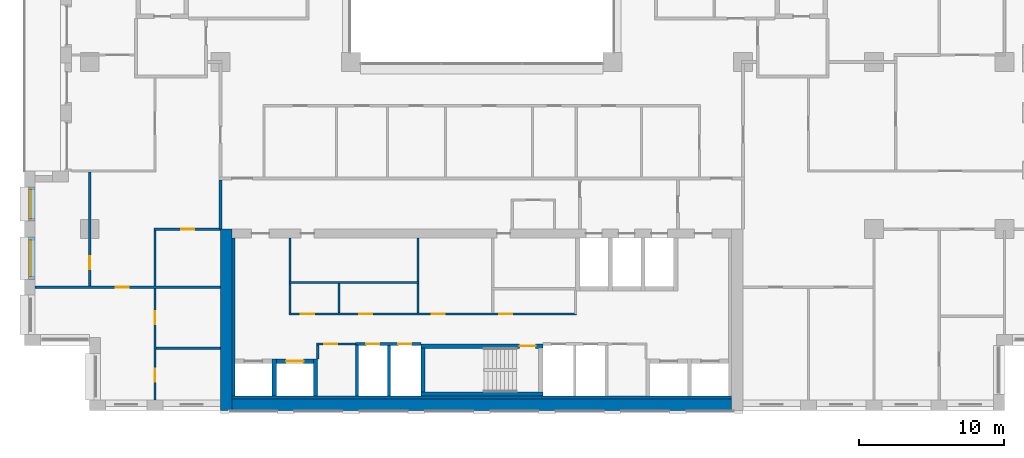
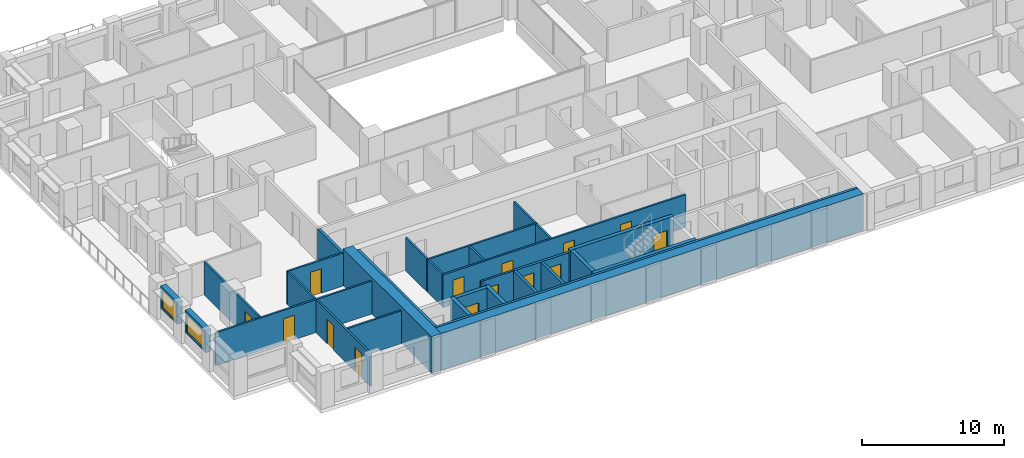
# One storey, part 8 of 16: 31 walls, 14 doors, 2 windows, 16 openings.
"""IFC4 building model written with IfcOpenShell, lengths in metres."""

import ifcopenshell
import ifcopenshell.guid

model = None  # the IFC model being written
_history = None  # IfcOwnerHistory: only IFC2X3 demands one
_inside = {}  # id of a spatial element -> (the spatial element, [elements in it])
_under = {}  # id of a project, library or spatial element -> (it, [spatial elements below it])
_declared = {}  # id of a project -> (the project, [libraries it declares])
_typed = {}  # id of a type object -> (the type object, [elements of that type])
_made_of = {}  # id of a material, layer set ... -> (it, [elements and type objects made of it])


def new_model(schema):
    """Start an empty IFC model of exactly this schema.

    Asked for "IFC4X3", IfcOpenShell would pick the latest addendum, in which some entities
    have other attributes; the version numbers below select the first issue.
    IFC2X3 requires an IfcOwnerHistory on every rooted entity: one is made here for all.
    """
    global model, _history
    if schema == "IFC4X3":
        model = ifcopenshell.file(schema_version=(4, 3, 0, 0))
    else:
        model = ifcopenshell.file(schema=schema)
    _inside.clear()
    _under.clear()
    _declared.clear()
    _typed.clear()
    _made_of.clear()
    _history = None
    if model.schema == "IFC2X3":
        org = make("IfcOrganization", Name="unknown")
        user = make(
            "IfcPersonAndOrganization",
            ThePerson=make("IfcPerson", FamilyName="unknown"),
            TheOrganization=org,
        )
        app = make(
            "IfcApplication",
            ApplicationDeveloper=org,
            Version="unknown",
            ApplicationFullName="unknown",
            ApplicationIdentifier="unknown",
        )
        _history = make(
            "IfcOwnerHistory",
            OwningUser=user,
            OwningApplication=app,
            ChangeAction="ADDED",
            CreationDate=0,
        )
    return model


def make(cls, **values):
    """One entity of the class cls with the attributes given. An attribute that is None is left unset."""
    return model.create_entity(
        cls, **{name: value for name, value in values.items() if value is not None}
    )


def rooted(cls, **values):
    """An entity with a GlobalId (a new one), such as an element, a storey or a relation."""
    return make(cls, GlobalId=ifcopenshell.guid.new(), OwnerHistory=_history, **values)


def si_unit(unit_type, name, prefix=None):
    """IfcSIUnit, for example si_unit("LENGTHUNIT", "METRE", prefix="MILLI")."""
    return make("IfcSIUnit", UnitType=unit_type, Prefix=prefix, Name=name)


def assignment(units):
    """IfcUnitAssignment: the units of a project."""
    return None if units is None else make("IfcUnitAssignment", Units=units)


def point(xyz):
    """IfcCartesianPoint."""
    return None if xyz is None else make("IfcCartesianPoint", Coordinates=xyz)


def direction(xyz):
    """IfcDirection."""
    return None if xyz is None else make("IfcDirection", DirectionRatios=xyz)


def frame(location, z_axis=None, x_axis=None):
    """IfcAxis2Placement3D, a coordinate frame: its origin and axes. An axis left out is left unset."""
    return make(
        "IfcAxis2Placement3D",
        Location=point(location),
        Axis=direction(z_axis),
        RefDirection=direction(x_axis),
    )


def frame_2d(location, x_axis=None):
    """IfcAxis2Placement2D, a coordinate frame in the plane: its origin and x axis."""
    return make(
        "IfcAxis2Placement2D", Location=point(location), RefDirection=direction(x_axis)
    )


def origin():
    """The frame at (0, 0, 0) with its axes left unset."""
    return frame((0.0, 0.0, 0.0))


def place(relative_to, where):
    """IfcLocalPlacement: puts the frame where relative to a parent placement (None: the world)."""
    return make(
        "IfcLocalPlacement", PlacementRelTo=relative_to, RelativePlacement=where
    )


def context(
    kind, dimensions, precision=None, world=None, true_north=None, identifier=None
):
    """IfcGeometricRepresentationContext, for example the 3D "Model" context."""
    return make(
        "IfcGeometricRepresentationContext",
        ContextIdentifier=identifier,
        ContextType=kind,
        CoordinateSpaceDimension=dimensions,
        Precision=precision,
        WorldCoordinateSystem=world,
        TrueNorth=true_north,
    )


def subcontext(parent, identifier, kind, view, scale=None):
    """IfcGeometricRepresentationSubContext, for example "Body" below "Model"."""
    return make(
        "IfcGeometricRepresentationSubContext",
        ContextIdentifier=identifier,
        ContextType=kind,
        ParentContext=parent,
        TargetScale=scale,
        TargetView=view,
    )


def project(units=None, contexts=None):
    """IfcProject with its units and contexts."""
    return rooted(
        "IfcProject",
        Name="project",
        RepresentationContexts=contexts,
        UnitsInContext=assignment(units),
    )


def spatial(cls, under=None, at=None, **own):
    """A site, building, storey or space (cls), placed at a placement, below another one or the project."""
    s = rooted(cls, ObjectPlacement=at, **own)
    if under is not None:
        _under.setdefault(under.id(), (under, []))[1].append(s)
    return s


def profile(cls, at=None, kind="AREA", **sizes):
    """A parametric profile (cls). Its sizes go by their IFC names, for example OverallWidth=200.0."""
    return make(cls, ProfileType=kind, Position=at, **sizes)


def rectangle(**sizes):
    """IfcRectangleProfileDef."""
    return profile("IfcRectangleProfileDef", **sizes)


def extrude(swept, where, along, depth):
    """IfcExtrudedAreaSolid: the profile swept, set in the frame where, extruded along a direction by depth."""
    return make(
        "IfcExtrudedAreaSolid",
        SweptArea=swept,
        Position=where,
        ExtrudedDirection=direction(along),
        Depth=depth,
    )


def shape(context_of_items, identifier, shape_type, items):
    """IfcShapeRepresentation: the items that make up one representation, for example the "Body"."""
    return make(
        "IfcShapeRepresentation",
        ContextOfItems=context_of_items,
        RepresentationIdentifier=identifier,
        RepresentationType=shape_type,
        Items=items,
    )


def material(Name=None, Category=None):
    """IfcMaterial."""
    return make("IfcMaterial", Name=Name, Category=Category)


def layer(
    of_material, thickness, ventilated=None, Name=None, Category=None, Priority=None
):
    """IfcMaterialLayer: one layer of a wall or slab, of a material (None: an air gap)."""
    return make(
        "IfcMaterialLayer",
        Material=of_material,
        LayerThickness=thickness,
        IsVentilated=ventilated,
        Name=Name,
        Category=Category,
        Priority=Priority,
    )


def layer_set(layers, Name=None):
    """IfcMaterialLayerSet."""
    return make("IfcMaterialLayerSet", MaterialLayers=layers, LayerSetName=Name)


def made_of(thing, what):
    """Note that an element or type object is made of a material, layer set ...; save() writes the relation."""
    if what is not None:
        _made_of.setdefault(what.id(), (what, []))[1].append(thing)
    return thing


def type_object(cls, material=None, **own):
    """A type object (cls), such as IfcWallType, which elements share."""
    return made_of(rooted(cls, **own), material)


def element(
    cls,
    number,
    at=None,
    inside=None,
    cuts=None,
    type_object=None,
    material=None,
    context=None,
    identifier="Body",
    shape_type=None,
    held_by="IfcProductDefinitionShape",
    body=None,
    shapes=None,
    **own,
):
    """One element of the class cls, such as IfcWall. Its Tag is "e" and its number.

    at: its placement. inside: the storey or other place that contains it. cuts: it is an
    opening in that element (IfcRelVoidsElement). A single representation is given by context,
    identifier, shape_type and body (its items); several are given by shapes. held_by: the class
    of the entity that holds the representations. save() writes the other relations.
    """
    e = rooted(cls, Tag="e%d" % number, ObjectPlacement=at, **own)
    if body is not None:
        shapes = [shape(context, identifier, shape_type, body)]
    if shapes is not None:
        e.Representation = make(held_by, Representations=shapes)
    if inside is not None:
        _inside.setdefault(inside.id(), (inside, []))[1].append(e)
    if cuts is not None:
        rooted(
            "IfcRelVoidsElement", RelatingBuildingElement=cuts, RelatedOpeningElement=e
        )
    if type_object is not None:
        _typed.setdefault(type_object.id(), (type_object, []))[1].append(e)
    return made_of(e, material)


def fill(opening, filler):
    """IfcRelFillsElement: the door or window that sits in an opening."""
    return rooted(
        "IfcRelFillsElement",
        RelatingOpeningElement=opening,
        RelatedBuildingElement=filler,
    )


def aggregate(whole, parts):
    """IfcRelAggregates: a whole, such as a stair, and the parts it consists of."""
    return rooted("IfcRelAggregates", RelatingObject=whole, RelatedObjects=parts)


def save(model, path):
    """Write the relations noted so far, then the file.

    IfcRelAggregates (storeys below a building ...), IfcRelContainedInSpatialStructure (elements
    in a storey), IfcRelDefinesByType, IfcRelAssociatesMaterial and IfcRelDeclares: one each for
    every whole, place, type object, material and project.
    """
    for whole, parts in _under.values():
        aggregate(whole, parts)
    for where, things in _inside.values():
        rooted(
            "IfcRelContainedInSpatialStructure",
            RelatedElements=things,
            RelatingStructure=where,
        )
    for kind, things in _typed.values():
        rooted("IfcRelDefinesByType", RelatedObjects=things, RelatingType=kind)
    for what, things in _made_of.values():
        rooted("IfcRelAssociatesMaterial", RelatedObjects=things, RelatingMaterial=what)
    for by, libraries in _declared.values():
        rooted("IfcRelDeclares", RelatingContext=by, RelatedDefinitions=libraries)
    model.write(path)


model = new_model("IFC4")

# Units and contexts
model_context = context("Model", 3, precision=1e-05, world=origin(), true_north=direction((0.0, 1.0)))
body_context = subcontext(model_context, "Body", "Model", "MODEL_VIEW")
ifc_project = project(units=[si_unit("LENGTHUNIT", "METRE"), si_unit("AREAUNIT", "SQUARE_METRE"), si_unit("VOLUMEUNIT", "CUBIC_METRE"), si_unit("PLANEANGLEUNIT", "RADIAN"), si_unit("MASSUNIT", "GRAM", prefix="KILO")], contexts=[model_context])

# Site, building, storey
site_placement = place(None, origin())
site = spatial("IfcSite", under=ifc_project, at=site_placement, CompositionType="ELEMENT")
building_placement = place(site_placement, origin())
building = spatial("IfcBuilding", under=site, at=building_placement, Name="Brigalow Station Residences", CompositionType="ELEMENT")
storey_placement = place(building_placement, frame((0.0, 0.0, 93.0)))
storey = spatial("IfcBuildingStorey", under=building, at=storey_placement, Name="L26", CompositionType="ELEMENT", Elevation=93.0)

# Wall, opening, window
ifc_material_1 = material(Name="Clay brick masonry", Category="masonry")
ifc_layer_1 = layer(ifc_material_1, 0.449951171875)
ifc_layer_set_1 = layer_set([ifc_layer_1], Name="BRICK INFILL WALL 450")
wall_type_1 = type_object("IfcWallType", Name="BRICK INFILL WALL 450", PredefinedType="SOLIDWALL", material=ifc_layer_set_1)
wall_1_placement = place(storey_placement, frame((5.02490234375, 15.39990234375, 0.89990234375), z_axis=(0.0, 0.0, 1.0), x_axis=(0.0, -1.0, 0.0)))
wall_1 = element("IfcWall", 1, at=wall_1_placement, inside=storey, type_object=wall_type_1, Name="L26/ewall/W-L26-47", PredefinedType="SOLIDWALL", context=body_context, shape_type="SweptSolid", body=[
    extrude(rectangle(XDim=2.349853515625, YDim=0.449951171875, at=frame_2d((1.1748046875, 0.0))), origin(), (0.0, 0.0, 1.0), 1.93017578125),
])
opening_1_placement = place(wall_1_placement, frame((0.175048828125, 0.0, 0.14990234375)))
opening_1 = element("IfcOpeningElement", 2, at=opening_1_placement, cuts=wall_1, Name="Opening WT-7", PredefinedType="OPENING", context=body_context, shape_type="SweptSolid", body=[
    extrude(rectangle(XDim=2.0, YDim=1.5, at=frame_2d((1.0, 0.75))), frame((0.0, 0.23486328125, 0.0), z_axis=(0.0, -1.0, 0.0), x_axis=(1.0, 0.0, 0.0)), (0.0, 0.0, 1.0), 0.469970703125),
])
ifc_material_2 = material(Name="Anodised aluminium frame with double glazing", Category="aluminium")
window_type_1 = type_object("IfcWindowType", Name="WINDOW 2000x1500", PartitioningType="SINGLE_PANEL", PredefinedType="WINDOW", material=ifc_material_2)
window_1_placement = place(opening_1_placement, origin())
window_1 = element("IfcWindow", 3, at=window_1_placement, inside=storey, type_object=window_type_1, Name="L26/window/W-L26-47", OverallHeight=1.5, OverallWidth=2.0, PartitioningType="SINGLE_PANEL", PredefinedType="WINDOW", context=body_context, shape_type="SweptSolid", body=[
    extrude(rectangle(XDim=2.0, YDim=1.5, at=frame_2d((1.0, 0.75))), frame((0.0, -0.06494140625, 0.0), z_axis=(0.0, -1.0, 0.0), x_axis=(1.0, 0.0, 0.0)), (0.0, 0.0, 1.0), 0.06005859375),
])
fill(opening_1, window_1)

wall_2_placement = place(storey_placement, frame((5.02490234375, 11.949951171875, 0.89990234375), z_axis=(0.0, 0.0, 1.0), x_axis=(0.0, -1.0, 0.0)))
wall_2 = element("IfcWall", 4, at=wall_2_placement, inside=storey, type_object=wall_type_1, Name="L26/ewall/W-L26-48", PredefinedType="SOLIDWALL", context=body_context, shape_type="SweptSolid", body=[
    extrude(rectangle(XDim=2.89990234375, YDim=0.449951171875, at=frame_2d((1.449951171875, 0.0))), origin(), (0.0, 0.0, 1.0), 1.93017578125),
])
opening_2_placement = place(wall_2_placement, frame((0.199951171875, 0.0, 0.14990234375)))
opening_2 = element("IfcOpeningElement", 5, at=opening_2_placement, cuts=wall_2, Name="Opening WT-5", PredefinedType="OPENING", context=body_context, shape_type="SweptSolid", body=[
    extrude(rectangle(XDim=2.5, YDim=1.5, at=frame_2d((1.25, 0.75))), frame((0.0, 0.23486328125, 0.0), z_axis=(0.0, -1.0, 0.0), x_axis=(1.0, 0.0, 0.0)), (0.0, 0.0, 1.0), 0.469970703125),
])
ifc_material_3 = material(Name="Anodised aluminium frame with double glazing", Category="aluminium")
window_type_2 = type_object("IfcWindowType", Name="WINDOW 2500x1500", PartitioningType="SINGLE_PANEL", PredefinedType="WINDOW", material=ifc_material_3)
window_2_placement = place(opening_2_placement, origin())
window_2 = element("IfcWindow", 6, at=window_2_placement, inside=storey, type_object=window_type_2, Name="L26/window/W-L26-48", OverallHeight=1.5, OverallWidth=2.5, PartitioningType="SINGLE_PANEL", PredefinedType="WINDOW", context=body_context, shape_type="SweptSolid", body=[
    extrude(rectangle(XDim=2.5, YDim=1.5, at=frame_2d((1.25, 0.75))), frame((0.0, -0.06494140625, 0.0), z_axis=(0.0, -1.0, 0.0), x_axis=(1.0, 0.0, 0.0)), (0.0, 0.0, 1.0), 0.06005859375),
])
fill(opening_2, window_2)

# Walls
ifc_material_4 = material(Name="Concrete C65", Category="concrete")
ifc_layer_2 = layer(ifc_material_4, 0.199951171875)
ifc_layer_set_2 = layer_set([ifc_layer_2], Name="CORE SHEAR WALL 200 C65")
wall_type_2 = type_object("IfcWallType", Name="CORE SHEAR WALL 200 C65", PredefinedType="SHEAR", material=ifc_layer_set_2)
wall_3_placement = place(storey_placement, frame((18.89990234375, 1.0, 0.0), z_axis=(0.0, 0.0, 1.0), x_axis=(0.0, 1.0, 0.0)))
element("IfcWall", 7, at=wall_3_placement, inside=storey, type_object=wall_type_2, Name="CORE WALL LIN-W L26", PredefinedType="SHEAR", context=body_context, shape_type="SweptSolid", body=[
    extrude(rectangle(XDim=10.89990234375, YDim=0.199951171875, at=frame_2d((5.449951171875, 0.0))), origin(), (0.0, 0.0, 1.0), 3.14990234375),
])
wall_4_placement = place(storey_placement, frame((18.800048828125, 0.89990234375, 0.0), z_axis=(0.0, 0.0, 1.0), x_axis=(1.0, 0.0, 0.0)))
element("IfcWall", 8, at=wall_4_placement, inside=storey, type_object=wall_type_2, Name="CORE WALL LIN-S L26", PredefinedType="SHEAR", context=body_context, shape_type="SweptSolid", body=[
    extrude(rectangle(XDim=34.39990234375, YDim=0.199951171875, at=frame_2d((17.199951171875, 0.0))), origin(), (0.0, 0.0, 1.0), 3.14990234375),
])

# Wall, opening, door
ifc_material_5 = material(Name="Concrete C65", Category="concrete")
ifc_layer_3 = layer(ifc_material_5, 0.300048828125)
ifc_layer_set_3 = layer_set([ifc_layer_3], Name="CORE SHEAR WALL 300 C65")
wall_type_3 = type_object("IfcWallType", Name="CORE SHEAR WALL 300 C65", PredefinedType="SHEAR", material=ifc_layer_set_3)
wall_5_placement = place(storey_placement, frame((21.85009765625, 3.39990234375, 0.0), z_axis=(0.0, 0.0, 1.0), x_axis=(1.0, 0.0, 0.0)))
wall_5 = element("IfcWall", 9, at=wall_5_placement, inside=storey, type_object=wall_type_3, Name="CORE WALL SH-C2-N L26", PredefinedType="SHEAR", context=body_context, shape_type="SweptSolid", body=[
    extrude(rectangle(XDim=2.5498046875, YDim=0.300048828125, at=frame_2d((1.27490234375, 0.0))), origin(), (0.0, 0.0, 1.0), 3.14990234375),
])
opening_3_placement = place(wall_5_placement, frame((0.675048828125, 0.0, 0.0)))
opening_3 = element("IfcOpeningElement", 10, at=opening_3_placement, cuts=wall_5, Name="Opening LD-LB2", PredefinedType="OPENING", context=body_context, shape_type="SweptSolid", body=[
    extrude(rectangle(XDim=1.199951171875, YDim=2.10009765625, at=frame_2d((0.60009765625, 1.050048828125))), frame((0.0, 0.16015625, 0.0), z_axis=(0.0, -1.0, 0.0), x_axis=(1.0, 0.0, 0.0)), (0.0, 0.0, 1.0), 0.320068359375),
])
ifc_material_6 = material(Name="Stainless steel sliding door leaves", Category="steel")
door_type_1 = type_object("IfcDoorType", Name="LIFT LANDING DOOR 1200 x 2100", OperationType="DOUBLE_DOOR_SLIDING", PredefinedType="DOOR", material=ifc_material_6)
door_1_placement = place(opening_3_placement, origin())
door_1 = element("IfcDoor", 11, at=door_1_placement, inside=storey, type_object=door_type_1, Name="LANDING DOOR LB2", OperationType="DOUBLE_DOOR_SLIDING", OverallHeight=2.10009765625, OverallWidth=1.199951171875, PredefinedType="DOOR", context=body_context, shape_type="SweptSolid", body=[
    extrude(rectangle(XDim=1.199951171875, YDim=2.10009765625, at=frame_2d((0.60009765625, 1.050048828125))), frame((0.0, 0.02490234375, 0.0), z_axis=(0.0, -1.0, 0.0), x_axis=(1.0, 0.0, 0.0)), (0.0, 0.0, 1.0), 0.050048828125),
])
fill(opening_3, door_1)

# Walls
for number, where, z_axis, x_axis, name in (
    (12, (21.699951171875, 1.0, 0.0), (0.0, 0.0, 1.0), (0.0, 1.0, 0.0), "CORE WALL SH-C2-W L26"),
    (13, (24.550048828125, 1.0, 0.0), (0.0, 0.0, 1.0), (0.0, 1.0, 0.0), "CORE WALL SH-C2-E L26"),
):
    element("IfcWall", number, at=place(storey_placement, frame(where, z_axis=z_axis, x_axis=x_axis)), inside=storey, type_object=wall_type_3, Name=name, PredefinedType="SHEAR", context=body_context, shape_type="SweptSolid", body=[
        extrude(rectangle(XDim=2.550048828125, YDim=0.300048828125, at=frame_2d((1.27490234375, 0.0))), origin(), (0.0, 0.0, 1.0), 3.14990234375),
    ])
wall_6_placement = place(storey_placement, frame((31.800048828125, 1.14990234375, 0.0), z_axis=(0.0, 0.0, 1.0), x_axis=(1.0, 0.0, 0.0)))
element("IfcWall", 14, at=wall_6_placement, inside=storey, type_object=wall_type_3, Name="CORE WALL ST-S2-S L26", PredefinedType="SHEAR", context=body_context, shape_type="SweptSolid", body=[
    extrude(rectangle(XDim=8.39990234375, YDim=0.300048828125, at=frame_2d((4.199951171875, 0.0))), origin(), (0.0, 0.0, 1.0), 3.14990234375),
])

# Wall, opening, door
wall_7_placement = place(storey_placement, frame((31.800048828125, 4.449951171875, 0.0), z_axis=(0.0, 0.0, 1.0), x_axis=(1.0, 0.0, 0.0)))
wall_7 = element("IfcWall", 15, at=wall_7_placement, inside=storey, type_object=wall_type_3, Name="CORE WALL ST-S2-N L26", PredefinedType="SHEAR", context=body_context, shape_type="SweptSolid", body=[
    extrude(rectangle(XDim=8.39990234375, YDim=0.300048828125, at=frame_2d((4.199951171875, 0.0))), origin(), (0.0, 0.0, 1.0), 3.14990234375),
])
opening_4_placement = place(wall_7_placement, frame((6.800048828125, 0.0, 0.0)))
opening_4 = element("IfcOpeningElement", 16, at=opening_4_placement, cuts=wall_7, Name="Opening D-5001", PredefinedType="OPENING", context=body_context, shape_type="SweptSolid", body=[
    extrude(rectangle(XDim=1.10009765625, YDim=2.10009765625, at=frame_2d((0.550048828125, 1.050048828125))), frame((0.0, 0.16015625, 0.0), z_axis=(0.0, -1.0, 0.0), x_axis=(1.0, 0.0, 0.0)), (0.0, 0.0, 1.0), 0.320068359375),
])
ifc_material_7 = material(Name="Steel fire door leaf in steel frame", Category="steel")
door_type_2 = type_object("IfcDoorType", Name="STAIR DOOR 1100 x 2100 FD60S", OperationType="SINGLE_SWING_LEFT", PredefinedType="DOOR", material=ifc_material_7)
door_2_placement = place(opening_4_placement, frame((1.10009765625, 0.0, 0.0), z_axis=(0.0, 0.0, 1.0), x_axis=(-1.0, 0.0, 0.0)))
door_2 = element("IfcDoor", 17, at=door_2_placement, inside=storey, type_object=door_type_2, Name="D-5001", OperationType="SINGLE_SWING_LEFT", OverallHeight=2.10009765625, OverallWidth=1.10009765625, PredefinedType="DOOR", context=body_context, shape_type="SweptSolid", body=[
    extrude(rectangle(XDim=1.10009765625, YDim=2.10009765625, at=frame_2d((0.550048828125, 1.050048828125))), frame((0.0, 0.02490234375, 0.0), z_axis=(0.0, -1.0, 0.0), x_axis=(1.0, 0.0, 0.0)), (0.0, 0.0, 1.0), 0.050048828125),
])
fill(opening_4, door_2)

# Walls
wall_8_placement = place(storey_placement, frame((31.949951171875, 1.300048828125, 0.0), z_axis=(0.0, 0.0, 1.0), x_axis=(0.0, 1.0, 0.0)))
element("IfcWall", 18, at=wall_8_placement, inside=storey, type_object=wall_type_3, Name="CORE WALL ST-S2-W L26", PredefinedType="SHEAR", context=body_context, shape_type="SweptSolid", body=[
    extrude(rectangle(XDim=3.0, YDim=0.300048828125, at=frame_2d((1.5, 0.0))), origin(), (0.0, 0.0, 1.0), 3.14990234375),
])
ifc_material_8 = material(Name="Concrete C65", Category="concrete")
ifc_layer_4 = layer(ifc_material_8, 0.800048828125)
ifc_layer_set_4 = layer_set([ifc_layer_4], Name="CORE SHEAR WALL 800 C65")
wall_type_4 = type_object("IfcWallType", Name="CORE SHEAR WALL 800 C65", PredefinedType="SHEAR", material=ifc_layer_set_4)
wall_9_placement = place(storey_placement, frame((18.39990234375, 0.0, 0.0), z_axis=(0.0, 0.0, 1.0), x_axis=(0.0, 1.0, 0.0)))
element("IfcWall", 19, at=wall_9_placement, inside=storey, type_object=wall_type_4, Name="CORE WALL OUT-W L26", PredefinedType="SHEAR", context=body_context, shape_type="SweptSolid", body=[
    extrude(rectangle(XDim=12.5, YDim=0.800048828125, at=frame_2d((6.25, 0.0))), origin(), (0.0, 0.0, 1.0), 3.14990234375),
])
wall_10_placement = place(storey_placement, frame((18.800048828125, 0.39990234375, 0.0), z_axis=(0.0, 0.0, 1.0), x_axis=(1.0, 0.0, 0.0)))
element("IfcWall", 20, at=wall_10_placement, inside=storey, type_object=wall_type_4, Name="CORE WALL OUT-S L26", PredefinedType="SHEAR", context=body_context, shape_type="SweptSolid", body=[
    extrude(rectangle(XDim=34.39990234375, YDim=0.800048828125, at=frame_2d((17.199951171875, 0.0))), origin(), (0.0, 0.0, 1.0), 3.14990234375),
])

# Wall, openings, doors
ifc_material_9 = material(Name="Concrete blockwork", Category="masonry")
ifc_layer_5 = layer(ifc_material_9, 0.199951171875)
ifc_layer_set_5 = layer_set([ifc_layer_5], Name="FIRE RATED CORE PARTITION 200")
wall_type_5 = type_object("IfcWallType", Name="FIRE RATED CORE PARTITION 200", PredefinedType="PARTITIONING", material=ifc_layer_set_5)
wall_11_placement = place(storey_placement, frame((27.300048828125, 4.60009765625, 0.0), z_axis=(0.0, 0.0, 1.0), x_axis=(1.0, 0.0, 0.0)))
wall_11 = element("IfcWall", 21, at=wall_11_placement, inside=storey, type_object=wall_type_5, Name="PW-5017", PredefinedType="PARTITIONING", context=body_context, shape_type="SweptSolid", body=[
    extrude(rectangle(XDim=4.5, YDim=0.199951171875, at=frame_2d((2.25, 0.0))), origin(), (0.0, 0.0, 1.0), 2.830078125),
])
opening_5_placement = place(wall_11_placement, frame((0.75, 0.0, 0.0)))
opening_5 = element("IfcOpeningElement", 22, at=opening_5_placement, cuts=wall_11, Name="Opening D-5007", PredefinedType="OPENING", context=body_context, shape_type="SweptSolid", body=[
    extrude(rectangle(XDim=0.89990234375, YDim=2.10009765625, at=frame_2d((0.449951171875, 1.050048828125))), frame((0.0, 0.10986328125, 0.0), z_axis=(0.0, -1.0, 0.0), x_axis=(1.0, 0.0, 0.0)), (0.0, 0.0, 1.0), 0.219970703125),
])
opening_6_placement = place(wall_11_placement, frame((2.949951171875, 0.0, 0.0)))
opening_6 = element("IfcOpeningElement", 23, at=opening_6_placement, cuts=wall_11, Name="Opening D-5008", PredefinedType="OPENING", context=body_context, shape_type="SweptSolid", body=[
    extrude(rectangle(XDim=0.89990234375, YDim=2.10009765625, at=frame_2d((0.449951171875, 1.050048828125))), frame((0.0, 0.10986328125, 0.0), z_axis=(0.0, -1.0, 0.0), x_axis=(1.0, 0.0, 0.0)), (0.0, 0.0, 1.0), 0.219970703125),
])
ifc_material_10 = material(Name="Steel fire door leaf in steel frame", Category="steel")
door_type_3 = type_object("IfcDoorType", Name="RISER ACCESS DOOR 900 x 2100 FD120", OperationType="SINGLE_SWING_LEFT", PredefinedType="DOOR", material=ifc_material_10)
door_3_placement = place(opening_5_placement, frame((0.89990234375, 0.0, 0.0), z_axis=(0.0, 0.0, 1.0), x_axis=(-1.0, 0.0, 0.0)))
door_3 = element("IfcDoor", 24, at=door_3_placement, inside=storey, type_object=door_type_3, Name="D-5007", OperationType="SINGLE_SWING_RIGHT", OverallHeight=2.10009765625, OverallWidth=0.89990234375, PredefinedType="DOOR", context=body_context, shape_type="SweptSolid", body=[
    extrude(rectangle(XDim=0.89990234375, YDim=2.10009765625, at=frame_2d((0.449951171875, 1.050048828125))), frame((0.0, 0.02490234375, 0.0), z_axis=(0.0, -1.0, 0.0), x_axis=(1.0, 0.0, 0.0)), (0.0, 0.0, 1.0), 0.050048828125),
])
fill(opening_5, door_3)
door_4_placement = place(opening_6_placement, frame((0.89990234375, 0.0, 0.0), z_axis=(0.0, 0.0, 1.0), x_axis=(-1.0, 0.0, 0.0)))
door_4 = element("IfcDoor", 25, at=door_4_placement, inside=storey, type_object=door_type_3, Name="D-5008", OperationType="SINGLE_SWING_RIGHT", OverallHeight=2.10009765625, OverallWidth=0.89990234375, PredefinedType="DOOR", context=body_context, shape_type="SweptSolid", body=[
    extrude(rectangle(XDim=0.89990234375, YDim=2.10009765625, at=frame_2d((0.449951171875, 1.050048828125))), frame((0.0, 0.02490234375, 0.0), z_axis=(0.0, -1.0, 0.0), x_axis=(1.0, 0.0, 0.0)), (0.0, 0.0, 1.0), 0.050048828125),
])
fill(opening_6, door_4)

# Walls
wall_12_placement = place(storey_placement, frame((27.39990234375, 1.0, 0.0), z_axis=(0.0, 0.0, 1.0), x_axis=(0.0, 1.0, 0.0)))
element("IfcWall", 26, at=wall_12_placement, inside=storey, type_object=wall_type_5, Name="PW-5027", PredefinedType="PARTITIONING", context=body_context, shape_type="SweptSolid", body=[
    extrude(rectangle(XDim=3.52490234375, YDim=0.199951171875, at=frame_2d((1.762451171875, 0.0))), origin(), (0.0, 0.0, 1.0), 2.830078125),
])
wall_13_placement = place(storey_placement, frame((29.60009765625, 1.0, 0.0), z_axis=(0.0, 0.0, 1.0), x_axis=(0.0, 1.0, 0.0)))
element("IfcWall", 27, at=wall_13_placement, inside=storey, type_object=wall_type_5, Name="PW-5006", PredefinedType="PARTITIONING", context=body_context, shape_type="SweptSolid", body=[
    extrude(rectangle(XDim=3.5, YDim=0.199951171875, at=frame_2d((1.75, 0.0))), origin(), (0.0, 0.0, 1.0), 2.830078125),
])
wall_14_placement = place(storey_placement, frame((18.0, 12.5, 0.0), z_axis=(0.0, 0.0, 1.0), x_axis=(0.0, 1.0, 0.0)))
element("IfcWall", 28, at=wall_14_placement, inside=storey, type_object=wall_type_5, Name="PW-5013", PredefinedType="PARTITIONING", context=body_context, shape_type="SweptSolid", body=[
    extrude(rectangle(XDim=3.39990234375, YDim=0.199951171875, at=frame_2d((1.699951171875, 0.0))), origin(), (0.0, 0.0, 1.0), 2.830078125),
])

# Wall, opening, door
ifc_material_11 = material(Name="Plasterboard on steel stud partition", Category="steel")
ifc_layer_6 = layer(ifc_material_11, 0.14990234375)
ifc_layer_set_6 = layer_set([ifc_layer_6], Name="FLAT PARTITION 150")
wall_type_6 = type_object("IfcWallType", Name="FLAT PARTITION 150", PredefinedType="PARTITIONING", material=ifc_layer_set_6)
wall_15_placement = place(storey_placement, frame((5.25, 8.5, 0.0), z_axis=(0.0, 0.0, 1.0), x_axis=(1.0, 0.0, 0.0)))
wall_15 = element("IfcWall", 29, at=wall_15_placement, inside=storey, type_object=wall_type_6, Name="PW-2B11", PredefinedType="PARTITIONING", context=body_context, shape_type="SweptSolid", body=[
    extrude(rectangle(XDim=12.75, YDim=0.14990234375, at=frame_2d((6.375, 0.0))), origin(), (0.0, 0.0, 1.0), 2.830078125),
])
opening_7_placement = place(wall_15_placement, frame((5.550048828125, 0.0, 0.0)))
opening_7 = element("IfcOpeningElement", 30, at=opening_7_placement, cuts=wall_15, Name="Opening D-2B04", PredefinedType="OPENING", context=body_context, shape_type="SweptSolid", body=[
    extrude(rectangle(XDim=0.89990234375, YDim=2.10009765625, at=frame_2d((0.449951171875, 1.050048828125))), frame((0.0, 0.0849609375, 0.0), z_axis=(0.0, -1.0, 0.0), x_axis=(1.0, 0.0, 0.0)), (0.0, 0.0, 1.0), 0.169921875),
])
ifc_material_12 = material(Name="Solid-core timber door leaf", Category="wood")
door_type_4 = type_object("IfcDoorType", Name="INTERNAL DOOR 900 x 2100", OperationType="SINGLE_SWING_LEFT", PredefinedType="DOOR", material=ifc_material_12)
door_5_placement = place(opening_7_placement, frame((0.89990234375, 0.0, 0.0), z_axis=(0.0, 0.0, 1.0), x_axis=(-1.0, 0.0, 0.0)))
door_5 = element("IfcDoor", 31, at=door_5_placement, inside=storey, type_object=door_type_4, Name="D-2B04", OperationType="SINGLE_SWING_LEFT", OverallHeight=2.10009765625, OverallWidth=0.89990234375, PredefinedType="DOOR", context=body_context, shape_type="SweptSolid", body=[
    extrude(rectangle(XDim=0.89990234375, YDim=2.10009765625, at=frame_2d((0.449951171875, 1.050048828125))), frame((0.0, 0.02490234375, 0.0), z_axis=(0.0, -1.0, 0.0), x_axis=(1.0, 0.0, 0.0)), (0.0, 0.0, 1.0), 0.050048828125),
])
fill(opening_7, door_5)

# Wall
wall_16_placement = place(storey_placement, frame((13.574951171875, 4.300048828125, 0.0), z_axis=(0.0, 0.0, 1.0), x_axis=(1.0, 0.0, 0.0)))
element("IfcWall", 32, at=wall_16_placement, inside=storey, type_object=wall_type_6, Name="PW-2B13", PredefinedType="PARTITIONING", context=body_context, shape_type="SweptSolid", body=[
    extrude(rectangle(XDim=4.425048828125, YDim=0.14990234375, at=frame_2d((2.21240234375, 0.0))), origin(), (0.0, 0.0, 1.0), 2.830078125),
])

# Wall, opening, door
wall_17_placement = place(storey_placement, frame((13.425048828125, 12.5, 0.0), z_axis=(0.0, 0.0, 1.0), x_axis=(1.0, 0.0, 0.0)))
wall_17 = element("IfcWall", 33, at=wall_17_placement, inside=storey, type_object=wall_type_6, Name="PW-2B16", PredefinedType="PARTITIONING", context=body_context, shape_type="SweptSolid", body=[
    extrude(rectangle(XDim=4.574951171875, YDim=0.14990234375, at=frame_2d((2.28759765625, 0.0))), origin(), (0.0, 0.0, 1.0), 2.830078125),
])
opening_8_placement = place(wall_17_placement, frame((1.875, 0.0, 0.0)))
opening_8 = element("IfcOpeningElement", 34, at=opening_8_placement, cuts=wall_17, Name="Opening D-2B08", PredefinedType="OPENING", context=body_context, shape_type="SweptSolid", body=[
    extrude(rectangle(XDim=0.89990234375, YDim=2.10009765625, at=frame_2d((0.449951171875, 1.050048828125))), frame((0.0, 0.0849609375, 0.0), z_axis=(0.0, -1.0, 0.0), x_axis=(1.0, 0.0, 0.0)), (0.0, 0.0, 1.0), 0.169921875),
])
door_6_placement = place(opening_8_placement, frame((0.89990234375, 0.0, 0.0), z_axis=(0.0, 0.0, 1.0), x_axis=(-1.0, 0.0, 0.0)))
door_6 = element("IfcDoor", 35, at=door_6_placement, inside=storey, type_object=door_type_4, Name="D-2B08", OperationType="SINGLE_SWING_RIGHT", OverallHeight=2.10009765625, OverallWidth=0.89990234375, PredefinedType="DOOR", context=body_context, shape_type="SweptSolid", body=[
    extrude(rectangle(XDim=0.89990234375, YDim=2.10009765625, at=frame_2d((0.449951171875, 1.050048828125))), frame((0.0, 0.02490234375, 0.0), z_axis=(0.0, -1.0, 0.0), x_axis=(1.0, 0.0, 0.0)), (0.0, 0.0, 1.0), 0.050048828125),
])
fill(opening_8, door_6)

# Wall, openings, doors
wall_18_placement = place(storey_placement, frame((13.5, 0.75, 0.0), z_axis=(0.0, 0.0, 1.0), x_axis=(0.0, 1.0, 0.0)))
wall_18 = element("IfcWall", 36, at=wall_18_placement, inside=storey, type_object=wall_type_6, Name="PW-2B45", PredefinedType="PARTITIONING", context=body_context, shape_type="SweptSolid", body=[
    extrude(rectangle(XDim=7.675048828125, YDim=0.14990234375, at=frame_2d((3.83740234375, 0.0))), origin(), (0.0, 0.0, 1.0), 2.830078125),
])
opening_9_placement = place(wall_18_placement, frame((1.25, 0.0, 0.0)))
opening_9 = element("IfcOpeningElement", 37, at=opening_9_placement, cuts=wall_18, Name="Opening D-2B05", PredefinedType="OPENING", context=body_context, shape_type="SweptSolid", body=[
    extrude(rectangle(XDim=0.89990234375, YDim=2.10009765625, at=frame_2d((0.449951171875, 1.050048828125))), frame((0.0, 0.0849609375, 0.0), z_axis=(0.0, -1.0, 0.0), x_axis=(1.0, 0.0, 0.0)), (0.0, 0.0, 1.0), 0.169921875),
])
opening_10_placement = place(wall_18_placement, frame((5.199951171875, 0.0, 0.0)))
opening_10 = element("IfcOpeningElement", 38, at=opening_10_placement, cuts=wall_18, Name="Opening D-2B06", PredefinedType="OPENING", context=body_context, shape_type="SweptSolid", body=[
    extrude(rectangle(XDim=0.89990234375, YDim=2.10009765625, at=frame_2d((0.449951171875, 1.050048828125))), frame((0.0, 0.0849609375, 0.0), z_axis=(0.0, -1.0, 0.0), x_axis=(1.0, 0.0, 0.0)), (0.0, 0.0, 1.0), 0.169921875),
])
door_7_placement = place(opening_9_placement, frame((0.89990234375, 0.0, 0.0), z_axis=(0.0, 0.0, 1.0), x_axis=(-1.0, 0.0, 0.0)))
door_7 = element("IfcDoor", 39, at=door_7_placement, inside=storey, type_object=door_type_4, Name="D-2B05", OperationType="SINGLE_SWING_RIGHT", OverallHeight=2.10009765625, OverallWidth=0.89990234375, PredefinedType="DOOR", context=body_context, shape_type="SweptSolid", body=[
    extrude(rectangle(XDim=0.89990234375, YDim=2.10009765625, at=frame_2d((0.449951171875, 1.050048828125))), frame((0.0, 0.02490234375, 0.0), z_axis=(0.0, -1.0, 0.0), x_axis=(1.0, 0.0, 0.0)), (0.0, 0.0, 1.0), 0.050048828125),
])
fill(opening_9, door_7)
door_8_placement = place(opening_10_placement, frame((0.89990234375, 0.0, 0.0), z_axis=(0.0, 0.0, 1.0), x_axis=(-1.0, 0.0, 0.0)))
door_8 = element("IfcDoor", 40, at=door_8_placement, inside=storey, type_object=door_type_4, Name="D-2B06", OperationType="SINGLE_SWING_LEFT", OverallHeight=2.10009765625, OverallWidth=0.89990234375, PredefinedType="DOOR", context=body_context, shape_type="SweptSolid", body=[
    extrude(rectangle(XDim=0.89990234375, YDim=2.10009765625, at=frame_2d((0.449951171875, 1.050048828125))), frame((0.0, 0.02490234375, 0.0), z_axis=(0.0, -1.0, 0.0), x_axis=(1.0, 0.0, 0.0)), (0.0, 0.0, 1.0), 0.050048828125),
])
fill(opening_10, door_8)

# Wall
wall_19_placement = place(storey_placement, frame((13.5, 8.574951171875, 0.0), z_axis=(0.0, 0.0, 1.0), x_axis=(0.0, 1.0, 0.0)))
element("IfcWall", 41, at=wall_19_placement, inside=storey, type_object=wall_type_6, Name="PW-2B46", PredefinedType="PARTITIONING", context=body_context, shape_type="SweptSolid", body=[
    extrude(rectangle(XDim=3.85009765625, YDim=0.14990234375, at=frame_2d((1.925048828125, 0.0))), origin(), (0.0, 0.0, 1.0), 2.830078125),
])

# Wall, opening, door
wall_20_placement = place(storey_placement, frame((9.0, 8.574951171875, 0.0), z_axis=(0.0, 0.0, 1.0), x_axis=(0.0, 1.0, 0.0)))
wall_20 = element("IfcWall", 42, at=wall_20_placement, inside=storey, type_object=wall_type_6, Name="PW-2B49", PredefinedType="PARTITIONING", context=body_context, shape_type="SweptSolid", body=[
    extrude(rectangle(XDim=7.85009765625, YDim=0.14990234375, at=frame_2d((3.925048828125, 0.0))), origin(), (0.0, 0.0, 1.0), 2.830078125),
])
opening_11_placement = place(wall_20_placement, frame((1.14990234375, 0.0, 0.0)))
opening_11 = element("IfcOpeningElement", 43, at=opening_11_placement, cuts=wall_20, Name="Opening D-2B07", PredefinedType="OPENING", context=body_context, shape_type="SweptSolid", body=[
    extrude(rectangle(XDim=0.89990234375, YDim=2.10009765625, at=frame_2d((0.449951171875, 1.050048828125))), frame((0.0, 0.0849609375, 0.0), z_axis=(0.0, -1.0, 0.0), x_axis=(1.0, 0.0, 0.0)), (0.0, 0.0, 1.0), 0.169921875),
])
door_9_placement = place(opening_11_placement, origin())
door_9 = element("IfcDoor", 44, at=door_9_placement, inside=storey, type_object=door_type_4, Name="D-2B07", OperationType="SINGLE_SWING_LEFT", OverallHeight=2.10009765625, OverallWidth=0.89990234375, PredefinedType="DOOR", context=body_context, shape_type="SweptSolid", body=[
    extrude(rectangle(XDim=0.89990234375, YDim=2.10009765625, at=frame_2d((0.449951171875, 1.050048828125))), frame((0.0, 0.02490234375, 0.0), z_axis=(0.0, -1.0, 0.0), x_axis=(1.0, 0.0, 0.0)), (0.0, 0.0, 1.0), 0.050048828125),
])
fill(opening_11, door_9)

ifc_material_13 = material(Name="Plasterboard on steel studs", Category="steel")
ifc_layer_7 = layer(ifc_material_13, 0.14990234375)
ifc_layer_set_7 = layer_set([ifc_layer_7], Name="SERVICE ROOM PARTITION 150")
wall_type_7 = type_object("IfcWallType", Name="SERVICE ROOM PARTITION 150", PredefinedType="PARTITIONING", material=ifc_layer_set_7)
wall_21_placement = place(storey_placement, frame((24.625, 4.60009765625, 0.0), z_axis=(0.0, 0.0, 1.0), x_axis=(1.0, 0.0, 0.0)))
wall_21 = element("IfcWall", 45, at=wall_21_placement, inside=storey, type_object=wall_type_7, Name="PW-5155", PredefinedType="PARTITIONING", context=body_context, shape_type="SweptSolid", body=[
    extrude(rectangle(XDim=2.675048828125, YDim=0.14990234375, at=frame_2d((1.33740234375, 0.0))), origin(), (0.0, 0.0, 1.0), 2.830078125),
])
opening_12_placement = place(wall_21_placement, frame((0.52490234375, 0.0, 0.0)))
opening_12 = element("IfcOpeningElement", 46, at=opening_12_placement, cuts=wall_21, Name="Opening D-5087", PredefinedType="OPENING", context=body_context, shape_type="SweptSolid", body=[
    extrude(rectangle(XDim=0.89990234375, YDim=2.10009765625, at=frame_2d((0.449951171875, 1.050048828125))), frame((0.0, 0.0849609375, 0.0), z_axis=(0.0, -1.0, 0.0), x_axis=(1.0, 0.0, 0.0)), (0.0, 0.0, 1.0), 0.169921875),
])
ifc_material_14 = material(Name="Steel door leaf in steel frame", Category="steel")
door_type_5 = type_object("IfcDoorType", Name="SERVICE ROOM DOOR 900 x 2100 FD60", OperationType="SINGLE_SWING_LEFT", PredefinedType="DOOR", material=ifc_material_14)
door_10_placement = place(opening_12_placement, frame((0.89990234375, 0.0, 0.0), z_axis=(0.0, 0.0, 1.0), x_axis=(-1.0, 0.0, 0.0)))
door_10 = element("IfcDoor", 47, at=door_10_placement, inside=storey, type_object=door_type_5, Name="D-5087", OperationType="SINGLE_SWING_RIGHT", OverallHeight=2.10009765625, OverallWidth=0.89990234375, PredefinedType="DOOR", context=body_context, shape_type="SweptSolid", body=[
    extrude(rectangle(XDim=0.89990234375, YDim=2.10009765625, at=frame_2d((0.449951171875, 1.050048828125))), frame((0.0, 0.02490234375, 0.0), z_axis=(0.0, -1.0, 0.0), x_axis=(1.0, 0.0, 0.0)), (0.0, 0.0, 1.0), 0.050048828125),
])
fill(opening_12, door_10)

# Wall, openings, doors
wall_22_placement = place(storey_placement, frame((22.72509765625, 6.64990234375, 0.0), z_axis=(0.0, 0.0, 1.0), x_axis=(1.0, 0.0, 0.0)))
wall_22 = element("IfcWall", 48, at=wall_22_placement, inside=storey, type_object=wall_type_7, Name="PW-5195", PredefinedType="PARTITIONING", context=body_context, shape_type="SweptSolid", body=[
    extrude(rectangle(XDim=19.7998046875, YDim=0.14990234375, at=frame_2d((9.89990234375, 0.0))), origin(), (0.0, 0.0, 1.0), 2.830078125),
])
opening_13_placement = place(wall_22_placement, frame((0.824951171875, 0.0, 0.0)))
opening_13 = element("IfcOpeningElement", 49, at=opening_13_placement, cuts=wall_22, Name="Opening D-5110", PredefinedType="OPENING", context=body_context, shape_type="SweptSolid", body=[
    extrude(rectangle(XDim=0.89990234375, YDim=2.10009765625, at=frame_2d((0.449951171875, 1.050048828125))), frame((0.0, 0.0849609375, 0.0), z_axis=(0.0, -1.0, 0.0), x_axis=(1.0, 0.0, 0.0)), (0.0, 0.0, 1.0), 0.169921875),
])
opening_14_placement = place(wall_22_placement, frame((4.824951171875, 0.0, 0.0)))
opening_14 = element("IfcOpeningElement", 50, at=opening_14_placement, cuts=wall_22, Name="Opening D-5116", PredefinedType="OPENING", context=body_context, shape_type="SweptSolid", body=[
    extrude(rectangle(XDim=0.89990234375, YDim=2.10009765625, at=frame_2d((0.449951171875, 1.050048828125))), frame((0.0, 0.0849609375, 0.0), z_axis=(0.0, -1.0, 0.0), x_axis=(1.0, 0.0, 0.0)), (0.0, 0.0, 1.0), 0.169921875),
])
opening_15_placement = place(wall_22_placement, frame((9.824951171875, 0.0, 0.0)))
opening_15 = element("IfcOpeningElement", 51, at=opening_15_placement, cuts=wall_22, Name="Opening D-5117", PredefinedType="OPENING", context=body_context, shape_type="SweptSolid", body=[
    extrude(rectangle(XDim=0.89990234375, YDim=2.10009765625, at=frame_2d((0.449951171875, 1.050048828125))), frame((0.0, 0.0849609375, 0.0), z_axis=(0.0, -1.0, 0.0), x_axis=(1.0, 0.0, 0.0)), (0.0, 0.0, 1.0), 0.169921875),
])
opening_16_placement = place(wall_22_placement, frame((14.47509765625, 0.0, 0.0)))
opening_16 = element("IfcOpeningElement", 52, at=opening_16_placement, cuts=wall_22, Name="Opening D-5114", PredefinedType="OPENING", context=body_context, shape_type="SweptSolid", body=[
    extrude(rectangle(XDim=0.89990234375, YDim=2.10009765625, at=frame_2d((0.449951171875, 1.050048828125))), frame((0.0, 0.0849609375, 0.0), z_axis=(0.0, -1.0, 0.0), x_axis=(1.0, 0.0, 0.0)), (0.0, 0.0, 1.0), 0.169921875),
])
door_11_placement = place(opening_13_placement, origin())
door_11 = element("IfcDoor", 53, at=door_11_placement, inside=storey, type_object=door_type_5, Name="D-5110", OperationType="SINGLE_SWING_LEFT", OverallHeight=2.10009765625, OverallWidth=0.89990234375, PredefinedType="DOOR", context=body_context, shape_type="SweptSolid", body=[
    extrude(rectangle(XDim=0.89990234375, YDim=2.10009765625, at=frame_2d((0.449951171875, 1.050048828125))), frame((0.0, 0.02490234375, 0.0), z_axis=(0.0, -1.0, 0.0), x_axis=(1.0, 0.0, 0.0)), (0.0, 0.0, 1.0), 0.050048828125),
])
fill(opening_13, door_11)
door_12_placement = place(opening_14_placement, origin())
door_12 = element("IfcDoor", 54, at=door_12_placement, inside=storey, type_object=door_type_5, Name="D-5116", OperationType="SINGLE_SWING_LEFT", OverallHeight=2.10009765625, OverallWidth=0.89990234375, PredefinedType="DOOR", context=body_context, shape_type="SweptSolid", body=[
    extrude(rectangle(XDim=0.89990234375, YDim=2.10009765625, at=frame_2d((0.449951171875, 1.050048828125))), frame((0.0, 0.02490234375, 0.0), z_axis=(0.0, -1.0, 0.0), x_axis=(1.0, 0.0, 0.0)), (0.0, 0.0, 1.0), 0.050048828125),
])
fill(opening_14, door_12)
door_13_placement = place(opening_15_placement, origin())
door_13 = element("IfcDoor", 55, at=door_13_placement, inside=storey, type_object=door_type_5, Name="D-5117", OperationType="SINGLE_SWING_LEFT", OverallHeight=2.10009765625, OverallWidth=0.89990234375, PredefinedType="DOOR", context=body_context, shape_type="SweptSolid", body=[
    extrude(rectangle(XDim=0.89990234375, YDim=2.10009765625, at=frame_2d((0.449951171875, 1.050048828125))), frame((0.0, 0.02490234375, 0.0), z_axis=(0.0, -1.0, 0.0), x_axis=(1.0, 0.0, 0.0)), (0.0, 0.0, 1.0), 0.050048828125),
])
fill(opening_15, door_13)
door_14_placement = place(opening_16_placement, origin())
door_14 = element("IfcDoor", 56, at=door_14_placement, inside=storey, type_object=door_type_5, Name="D-5114", OperationType="SINGLE_SWING_LEFT", OverallHeight=2.10009765625, OverallWidth=0.89990234375, PredefinedType="DOOR", context=body_context, shape_type="SweptSolid", body=[
    extrude(rectangle(XDim=0.89990234375, YDim=2.10009765625, at=frame_2d((0.449951171875, 1.050048828125))), frame((0.0, 0.02490234375, 0.0), z_axis=(0.0, -1.0, 0.0), x_axis=(1.0, 0.0, 0.0)), (0.0, 0.0, 1.0), 0.050048828125),
])
fill(opening_16, door_14)

# Walls
wall_23_placement = place(storey_placement, frame((22.72509765625, 8.830078125, 0.0), z_axis=(0.0, 0.0, 1.0), x_axis=(1.0, 0.0, 0.0)))
element("IfcWall", 57, at=wall_23_placement, inside=storey, type_object=wall_type_7, Name="PW-5205", PredefinedType="PARTITIONING", context=body_context, shape_type="SweptSolid", body=[
    extrude(rectangle(XDim=8.9599609375, YDim=0.14990234375, at=frame_2d((4.47998046875, 0.0))), origin(), (0.0, 0.0, 1.0), 2.830078125),
])
wall_24_placement = place(storey_placement, frame((24.699951171875, 3.550048828125, 0.0), z_axis=(0.0, 0.0, 1.0), x_axis=(0.0, 1.0, 0.0)))
element("IfcWall", 58, at=wall_24_placement, inside=storey, type_object=wall_type_7, Name="PW-5157", PredefinedType="PARTITIONING", context=body_context, shape_type="SweptSolid", body=[
    extrude(rectangle(XDim=0.974853515625, YDim=0.14990234375, at=frame_2d((0.4873046875, 0.0))), origin(), (0.0, 0.0, 1.0), 2.830078125),
])
for number, where, z_axis, x_axis, name in (
    (59, (22.800048828125, 6.72509765625, 0.0), (0.0, 0.0, 1.0), (0.0, 1.0, 0.0), "PW-5207"),
    (60, (26.169921875, 6.72509765625, 0.0), (0.0, 0.0, 1.0), (0.0, 1.0, 0.0), "PW-5208"),
    (61, (31.610107421875, 6.72509765625, 0.0), (0.0, 0.0, 1.0), (0.0, 1.0, 0.0), "PW-5209"),
):
    element("IfcWall", number, at=place(storey_placement, frame(where, z_axis=z_axis, x_axis=x_axis)), inside=storey, type_object=wall_type_7, Name=name, PredefinedType="PARTITIONING", context=body_context, shape_type="SweptSolid", body=[
        extrude(rectangle(XDim=2.02978515625, YDim=0.14990234375, at=frame_2d((1.014892578125, 0.0))), origin(), (0.0, 0.0, 1.0), 2.830078125),
    ])
for number, where, z_axis, x_axis, name in (
    (62, (22.800048828125, 8.905029296875, 0.0), (0.0, 0.0, 1.0), (0.0, 1.0, 0.0), "PW-5212"),
    (63, (31.610107421875, 8.905029296875, 0.0), (0.0, 0.0, 1.0), (0.0, 1.0, 0.0), "PW-5213"),
):
    element("IfcWall", number, at=place(storey_placement, frame(where, z_axis=z_axis, x_axis=x_axis)), inside=storey, type_object=wall_type_7, Name=name, PredefinedType="PARTITIONING", context=body_context, shape_type="SweptSolid", body=[
        extrude(rectangle(XDim=2.994873046875, YDim=0.14990234375, at=frame_2d((1.49755859375, 0.0))), origin(), (0.0, 0.0, 1.0), 2.830078125),
    ])

save(model, "model.ifc")
